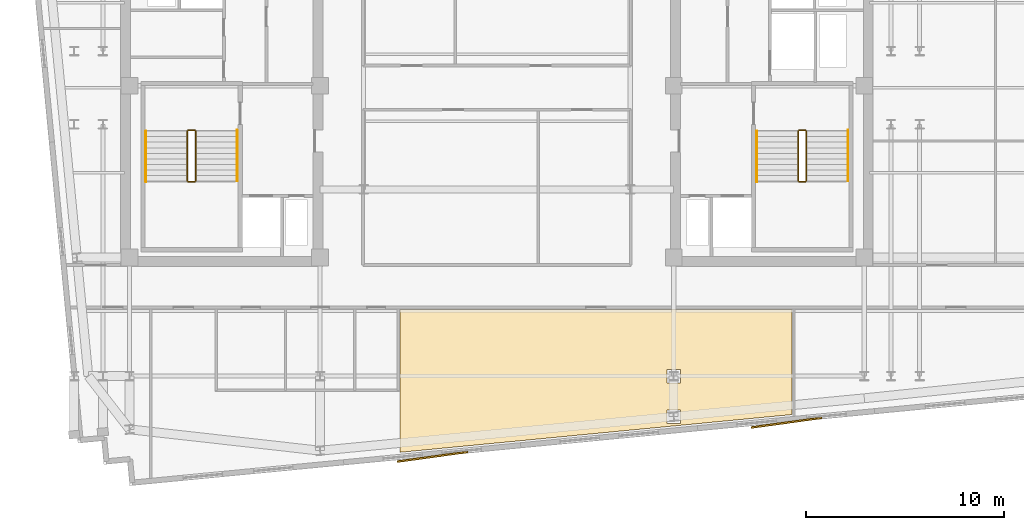
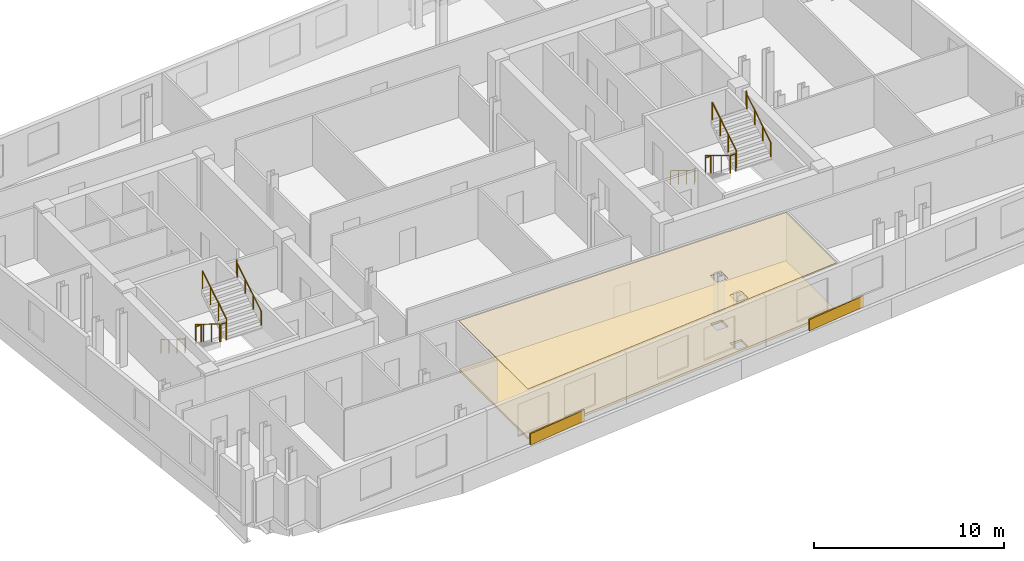
# One storey, part 7 of 8: 12 railings, 4 coverings.
"""IFC4 building model written with IfcOpenShell, lengths in metres."""

from ifc_helpers import new_model, si_unit, direction, frame, origin, origin_2d, place, context, subcontext, project, spatial, polyline, rectangle, circle, outline, extrude, material, layer, layer_set, type_object, element, save


model = new_model("IFC4")

# Units and contexts
model_context = context("Model", 3, precision=1e-05, world=origin(), true_north=direction((0.0, 1.0)))
body_context = subcontext(model_context, "Body", "Model", "MODEL_VIEW")
ifc_project = project(units=[si_unit("LENGTHUNIT", "METRE"), si_unit("AREAUNIT", "SQUARE_METRE"), si_unit("VOLUMEUNIT", "CUBIC_METRE"), si_unit("PLANEANGLEUNIT", "RADIAN"), si_unit("MASSUNIT", "GRAM", prefix="KILO")], contexts=[model_context])

# Site, building, storey
site_placement = place(None, origin())
site = spatial("IfcSite", under=ifc_project, at=site_placement, CompositionType="ELEMENT")
building_placement = place(site_placement, origin())
building = spatial("IfcBuilding", under=site, at=building_placement, Name="Velakula Bourse", CompositionType="ELEMENT")
storey_placement = place(building_placement, frame((0.0, 0.0, 251.699951171875)))
storey = spatial("IfcBuildingStorey", under=building, at=storey_placement, Name="L68", CompositionType="ELEMENT", Elevation=251.699951171875)

# Coverings
ifc_material_1 = material(Name="Buff kilned clay facing brick masonry", Category="masonry")
ifc_layer_1 = layer(ifc_material_1, 0.074951171875, Name="Buff kilned clay facing brick masonry", Category="masonry")
ifc_layer_set_1 = layer_set([ifc_layer_1], Name="Buff kilned clay facing brick masonry")
covering_type_1 = type_object("IfcCoveringType", Name="COV-BRK-SPN-75", PredefinedType="CLADDING", material=ifc_layer_set_1)
for number, where, z_axis, x_axis, name in (
    (1, (-3.26220703125, -18.68115234375, 0.0), (0.0, 0.0, 1.0), (0.990629029058, 0.136580111242, 0.0), "L68 Folded Brick Facade Cladding Panel S-B2"),
    (2, (14.655029296875, -16.955810546875, 0.0), (0.0, 0.0, 1.0), (0.990629029058, 0.136580111242, 0.0), "L68 Folded Brick Facade Cladding Panel S-B4"),
):
    element("IfcCovering", number, at=place(storey_placement, frame(where, z_axis=z_axis, x_axis=x_axis)), inside=storey, type_object=covering_type_1, Name=name, PredefinedType="CLADDING", context=body_context, shape_type="SweptSolid", body=[
        extrude(rectangle(XDim=3.60009765625, YDim=0.090087890625, at=origin_2d()), origin(), (0.0, 0.0, 1.0), 0.719970703125),
    ])
ifc_material_2 = material(Name="Mineral-fibre acoustic suspended ceiling tile", Category="mineral")
ifc_layer_2 = layer(ifc_material_2, 0.0400390625, Name="Mineral-fibre acoustic suspended ceiling tile", Category="mineral")
ifc_layer_set_2 = layer_set([ifc_layer_2], Name="Mineral-fibre acoustic suspended ceiling tile")
covering_type_2 = type_object("IfcCoveringType", Name="COV-CEIL-AC-40", PredefinedType="CEILING", material=ifc_layer_set_2)
covering_1_placement = place(storey_placement, frame((0.0, 0.0, 3.199951171875)))
element("IfcCovering", 3, at=covering_1_placement, inside=storey, type_object=covering_type_2, Name="L68 Risk Review Boardroom Acoustic Suspended Ceiling", PredefinedType="CEILING", context=body_context, shape_type="SweptSolid", body=[
    extrude(outline(polyline([(14.94091796875, -11.22998046875), (14.94091796875, -16.546630859375), (-4.89990234375, -18.45703125), (-4.89990234375, -11.22998046875), (14.94091796875, -11.22998046875)]), holes=[polyline([(9.294921875, -16.996337890625), (9.294921875, -16.306396484375), (8.60498046875, -16.306396484375), (8.60498046875, -16.996337890625), (9.294921875, -16.996337890625)]), polyline([(8.60498046875, -14.945068359375), (9.294921875, -14.945068359375), (9.294921875, -14.2548828125), (8.60498046875, -14.2548828125), (8.60498046875, -14.945068359375)])]), origin(), (0.0, 0.0, 1.0), 0.0400390625),
])
ifc_material_3 = material(Name="Calcium-sulphate antistatic raised access flooring", Category="gypsum")
ifc_layer_3 = layer(ifc_material_3, 0.14990234375, Name="Calcium-sulphate antistatic raised access flooring", Category="gypsum")
ifc_layer_set_3 = layer_set([ifc_layer_3], Name="Calcium-sulphate antistatic raised access flooring")
covering_type_3 = type_object("IfcCoveringType", Name="COV-FLR-RAISED-150", PredefinedType="FLOORING", material=ifc_layer_set_3)
covering_2_placement = place(storey_placement, origin())
element("IfcCovering", 4, at=covering_2_placement, inside=storey, type_object=covering_type_3, Name="L68 Risk Review Boardroom Raised Trading Access Floor", PredefinedType="FLOORING", context=body_context, shape_type="SweptSolid", body=[
    extrude(outline(polyline([(14.94091796875, -11.22998046875), (14.94091796875, -16.546630859375), (-4.89990234375, -18.45703125), (-4.89990234375, -11.22998046875), (14.94091796875, -11.22998046875)]), holes=[polyline([(9.294921875, -16.996337890625), (9.294921875, -16.306396484375), (8.60498046875, -16.306396484375), (8.60498046875, -16.996337890625), (9.294921875, -16.996337890625)]), polyline([(8.60498046875, -14.945068359375), (9.294921875, -14.945068359375), (9.294921875, -14.2548828125), (8.60498046875, -14.2548828125), (8.60498046875, -14.945068359375)])]), origin(), (0.0, 0.0, 1.0), 0.150146484375),
])

# Railings
ifc_material_4 = material(Name="Brushed grade 316 stainless steel", Category="steel")
railing_type_1 = type_object("IfcRailingType", Name="RLG-STAIR-GUARD-1150", PredefinedType="BALUSTRADE", material=ifc_material_4)
railing_1_placement = place(storey_placement, frame((-15.672119140625, -2.199951171875, 0.172607421875)))
element("IfcRailing", 5, at=railing_1_placement, inside=storey, type_object=railing_type_1, Name="L68 ST-W1 stair guard 1", PredefinedType="BALUSTRADE", context=body_context, shape_type="SweptSolid", body=[
    extrude(circle(Radius=0.02490234375, at=origin_2d()), frame((0.0, 0.0, 1.125), z_axis=(0.0, -0.851400495292, 0.524516154772), x_axis=(1.0, 0.0, 0.0)), (0.0, 0.0, 1.0), 2.9599609375),
    extrude(circle(Radius=0.02099609375, at=origin_2d()), origin(), (0.0, 0.0, 1.0), 1.099853515625),
    extrude(circle(Radius=0.02099609375, at=origin_2d()), frame((0.0, -0.840087890625, 0.517578125)), (0.0, 0.0, 1.0), 1.099853515625),
    extrude(circle(Radius=0.02099609375, at=origin_2d()), frame((0.0, -1.679931640625, 1.034912109375)), (0.0, 0.0, 1.0), 1.099853515625),
    extrude(circle(Radius=0.02099609375, at=origin_2d()), frame((0.0, -2.52001953125, 1.552490234375)), (0.0, 0.0, 1.0), 1.099853515625),
])
railing_2_placement = place(storey_placement, frame((-15.6220703125, -4.77001953125, 1.72509765625)))
element("IfcRailing", 6, at=railing_2_placement, inside=storey, type_object=railing_type_1, Name="L68 ST-W1 stair guard 2", PredefinedType="BALUSTRADE", context=body_context, shape_type="SweptSolid", body=[
    extrude(circle(Radius=0.02490234375, at=origin_2d()), frame((0.0, 0.0, 1.125), z_axis=(1.0, 0.0, 0.0), x_axis=(0.0, 1.0, 0.0)), (0.0, 0.0, 1.0), 0.323974609375),
    extrude(circle(Radius=0.02099609375, at=origin_2d()), origin(), (0.0, 0.0, 1.0), 1.099853515625),
    extrude(circle(Radius=0.02099609375, at=origin_2d()), frame((0.323974609375, 0.0, 0.0)), (0.0, 0.0, 1.0), 1.099853515625),
])
railing_3_placement = place(storey_placement, frame((-15.248046875, -4.719970703125, 1.8974609375)))
element("IfcRailing", 7, at=railing_3_placement, inside=storey, type_object=railing_type_1, Name="L68 ST-W1 stair guard 3", PredefinedType="BALUSTRADE", context=body_context, shape_type="SweptSolid", body=[
    extrude(circle(Radius=0.02490234375, at=origin_2d()), frame((0.0, 0.0, 1.125), z_axis=(0.0, 0.851400495292, 0.524516154772), x_axis=(-1.0, 0.0, 0.0)), (0.0, 0.0, 1.0), 2.9599609375),
    extrude(circle(Radius=0.02099609375, at=origin_2d()), origin(), (0.0, 0.0, 1.0), 1.099853515625),
    extrude(circle(Radius=0.02099609375, at=origin_2d()), frame((0.0, 0.840087890625, 0.517578125)), (0.0, 0.0, 1.0), 1.099853515625),
    extrude(circle(Radius=0.02099609375, at=origin_2d()), frame((0.0, 1.679931640625, 1.034912109375)), (0.0, 0.0, 1.0), 1.099853515625),
    extrude(circle(Radius=0.02099609375, at=origin_2d()), frame((0.0, 2.52001953125, 1.552490234375)), (0.0, 0.0, 1.0), 1.099853515625),
])
railing_4_placement = place(storey_placement, frame((-15.6220703125, -2.14990234375, 0.0)))
element("IfcRailing", 8, at=railing_4_placement, inside=storey, type_object=railing_type_1, Name="L68 ST-W1 stair guard 4", PredefinedType="BALUSTRADE", context=body_context, shape_type="SweptSolid", body=[
    extrude(circle(Radius=0.02490234375, at=origin_2d()), frame((0.0, 0.0, 1.125), z_axis=(1.0, 0.0, 0.0), x_axis=(0.0, 1.0, 0.0)), (0.0, 0.0, 1.0), 0.323974609375),
    extrude(circle(Radius=0.02099609375, at=origin_2d()), origin(), (0.0, 0.0, 1.0), 1.099853515625),
    extrude(circle(Radius=0.02099609375, at=origin_2d()), frame((0.323974609375, 0.0, 0.0)), (0.0, 0.0, 1.0), 1.099853515625),
])
railing_5_placement = place(storey_placement, frame((15.248046875, -2.199951171875, 0.172607421875)))
element("IfcRailing", 9, at=railing_5_placement, inside=storey, type_object=railing_type_1, Name="L68 ST-E1 stair guard 1", PredefinedType="BALUSTRADE", context=body_context, shape_type="SweptSolid", body=[
    extrude(circle(Radius=0.02490234375, at=origin_2d()), frame((0.0, 0.0, 1.125), z_axis=(0.0, -0.851400495292, 0.524516154772), x_axis=(1.0, 0.0, 0.0)), (0.0, 0.0, 1.0), 2.9599609375),
    extrude(circle(Radius=0.02099609375, at=origin_2d()), origin(), (0.0, 0.0, 1.0), 1.099853515625),
    extrude(circle(Radius=0.02099609375, at=origin_2d()), frame((0.0, -0.840087890625, 0.517578125)), (0.0, 0.0, 1.0), 1.099853515625),
    extrude(circle(Radius=0.02099609375, at=origin_2d()), frame((0.0, -1.679931640625, 1.034912109375)), (0.0, 0.0, 1.0), 1.099853515625),
    extrude(circle(Radius=0.02099609375, at=origin_2d()), frame((0.0, -2.52001953125, 1.552490234375)), (0.0, 0.0, 1.0), 1.099853515625),
])
railing_6_placement = place(storey_placement, frame((15.298095703125, -4.77001953125, 1.72509765625)))
element("IfcRailing", 10, at=railing_6_placement, inside=storey, type_object=railing_type_1, Name="L68 ST-E1 stair guard 2", PredefinedType="BALUSTRADE", context=body_context, shape_type="SweptSolid", body=[
    extrude(circle(Radius=0.02490234375, at=origin_2d()), frame((0.0, 0.0, 1.125), z_axis=(1.0, 0.0, 0.0), x_axis=(0.0, 1.0, 0.0)), (0.0, 0.0, 1.0), 0.323974609375),
    extrude(circle(Radius=0.02099609375, at=origin_2d()), origin(), (0.0, 0.0, 1.0), 1.099853515625),
    extrude(circle(Radius=0.02099609375, at=origin_2d()), frame((0.323974609375, 0.0, 0.0)), (0.0, 0.0, 1.0), 1.099853515625),
])
railing_7_placement = place(storey_placement, frame((15.672119140625, -4.719970703125, 1.8974609375)))
element("IfcRailing", 11, at=railing_7_placement, inside=storey, type_object=railing_type_1, Name="L68 ST-E1 stair guard 3", PredefinedType="BALUSTRADE", context=body_context, shape_type="SweptSolid", body=[
    extrude(circle(Radius=0.02490234375, at=origin_2d()), frame((0.0, 0.0, 1.125), z_axis=(0.0, 0.851400495292, 0.524516154772), x_axis=(-1.0, 0.0, 0.0)), (0.0, 0.0, 1.0), 2.9599609375),
    extrude(circle(Radius=0.02099609375, at=origin_2d()), origin(), (0.0, 0.0, 1.0), 1.099853515625),
    extrude(circle(Radius=0.02099609375, at=origin_2d()), frame((0.0, 0.840087890625, 0.517578125)), (0.0, 0.0, 1.0), 1.099853515625),
    extrude(circle(Radius=0.02099609375, at=origin_2d()), frame((0.0, 1.679931640625, 1.034912109375)), (0.0, 0.0, 1.0), 1.099853515625),
    extrude(circle(Radius=0.02099609375, at=origin_2d()), frame((0.0, 2.52001953125, 1.552490234375)), (0.0, 0.0, 1.0), 1.099853515625),
])
railing_8_placement = place(storey_placement, frame((15.298095703125, -2.14990234375, 0.0)))
element("IfcRailing", 12, at=railing_8_placement, inside=storey, type_object=railing_type_1, Name="L68 ST-E1 stair guard 4", PredefinedType="BALUSTRADE", context=body_context, shape_type="SweptSolid", body=[
    extrude(circle(Radius=0.02490234375, at=origin_2d()), frame((0.0, 0.0, 1.125), z_axis=(1.0, 0.0, 0.0), x_axis=(0.0, 1.0, 0.0)), (0.0, 0.0, 1.0), 0.323974609375),
    extrude(circle(Radius=0.02099609375, at=origin_2d()), origin(), (0.0, 0.0, 1.0), 1.099853515625),
    extrude(circle(Radius=0.02099609375, at=origin_2d()), frame((0.323974609375, 0.0, 0.0)), (0.0, 0.0, 1.0), 1.099853515625),
])
railing_type_2 = type_object("IfcRailingType", Name="RLG-STAIR-HAND-920", PredefinedType="HANDRAIL", material=ifc_material_4)
railing_9_placement = place(storey_placement, frame((-17.77001953125, -2.199951171875, 0.172607421875)))
element("IfcRailing", 13, at=railing_9_placement, inside=storey, type_object=railing_type_2, Name="L68 ST-W1 stair handrail 1", PredefinedType="HANDRAIL", context=body_context, shape_type="SweptSolid", body=[
    extrude(circle(Radius=0.02099609375, at=origin_2d()), frame((0.0, 0.0, 0.89892578125), z_axis=(0.0, -0.851400495292, 0.524516154772), x_axis=(1.0, 0.0, 0.0)), (0.0, 0.0, 1.0), 2.9599609375),
    extrude(circle(Radius=0.02099609375, at=origin_2d()), frame((0.0, -2.52001953125, 2.451416015625), z_axis=(0.0, -0.226269970362, 0.974064628509), x_axis=(1.0, 0.0, 0.0)), (0.0, 0.0, 1.0), 0.177001953125),
    extrude(circle(Radius=0.02099609375, at=origin_2d()), frame((0.0, -2.56005859375, 2.623779296875), z_axis=(0.0, -1.0, 0.0), x_axis=(1.0, 0.0, 0.0)), (0.0, 0.0, 1.0), 0.0048828125),
    extrude(circle(Radius=0.02099609375, at=origin_2d()), origin(), (0.0, 0.0, 1.0), 0.8779296875),
    extrude(circle(Radius=0.02099609375, at=origin_2d()), frame((0.0, -0.840087890625, 0.517578125)), (0.0, 0.0, 1.0), 0.8779296875),
    extrude(circle(Radius=0.02099609375, at=origin_2d()), frame((0.0, -1.679931640625, 1.034912109375)), (0.0, 0.0, 1.0), 0.8779296875),
    extrude(circle(Radius=0.02099609375, at=origin_2d()), frame((0.0, -2.52001953125, 1.552490234375)), (0.0, 0.0, 1.0), 0.8779296875),
    extrude(circle(Radius=0.02099609375, at=origin_2d()), frame((0.0, -2.56005859375, 1.724853515625)), (0.0, 0.0, 1.0), 0.8779296875),
    extrude(circle(Radius=0.02099609375, at=origin_2d()), frame((0.0, -2.56494140625, 1.724853515625)), (0.0, 0.0, 1.0), 0.8779296875),
])
railing_10_placement = place(storey_placement, frame((-13.14990234375, -4.719970703125, 1.8974609375)))
element("IfcRailing", 14, at=railing_10_placement, inside=storey, type_object=railing_type_2, Name="L68 ST-W1 stair handrail 2", PredefinedType="HANDRAIL", context=body_context, shape_type="SweptSolid", body=[
    extrude(circle(Radius=0.02099609375, at=origin_2d()), frame((0.0, 0.0, 0.89892578125), z_axis=(0.0, 0.851400495292, 0.524516154772), x_axis=(-1.0, 0.0, 0.0)), (0.0, 0.0, 1.0), 2.9599609375),
    extrude(circle(Radius=0.02099609375, at=origin_2d()), frame((0.0, 2.52001953125, 2.451416015625), z_axis=(0.0, 0.22596628056, 0.974135124123), x_axis=(-1.0, 0.0, 0.0)), (0.0, 0.0, 1.0), 0.17724609375),
    extrude(circle(Radius=0.02099609375, at=origin_2d()), frame((0.0, 2.56005859375, 2.6240234375), z_axis=(0.0, 1.0, 0.0), x_axis=(-1.0, 0.0, 0.0)), (0.0, 0.0, 1.0), 0.0048828125),
    extrude(circle(Radius=0.02099609375, at=origin_2d()), origin(), (0.0, 0.0, 1.0), 0.8779296875),
    extrude(circle(Radius=0.02099609375, at=origin_2d()), frame((0.0, 0.840087890625, 0.517578125)), (0.0, 0.0, 1.0), 0.8779296875),
    extrude(circle(Radius=0.02099609375, at=origin_2d()), frame((0.0, 1.679931640625, 1.034912109375)), (0.0, 0.0, 1.0), 0.8779296875),
    extrude(circle(Radius=0.02099609375, at=origin_2d()), frame((0.0, 2.52001953125, 1.552490234375)), (0.0, 0.0, 1.0), 0.8779296875),
    extrude(circle(Radius=0.02099609375, at=origin_2d()), frame((0.0, 2.56005859375, 1.72509765625)), (0.0, 0.0, 1.0), 0.8779296875),
    extrude(circle(Radius=0.02099609375, at=origin_2d()), frame((0.0, 2.56494140625, 1.72509765625)), (0.0, 0.0, 1.0), 0.8779296875),
])
railing_11_placement = place(storey_placement, frame((13.14990234375, -2.199951171875, 0.172607421875)))
element("IfcRailing", 15, at=railing_11_placement, inside=storey, type_object=railing_type_2, Name="L68 ST-E1 stair handrail 1", PredefinedType="HANDRAIL", context=body_context, shape_type="SweptSolid", body=[
    extrude(circle(Radius=0.02099609375, at=origin_2d()), frame((0.0, 0.0, 0.89892578125), z_axis=(0.0, -0.851400495292, 0.524516154772), x_axis=(1.0, 0.0, 0.0)), (0.0, 0.0, 1.0), 2.9599609375),
    extrude(circle(Radius=0.02099609375, at=origin_2d()), frame((0.0, -2.52001953125, 2.451416015625), z_axis=(0.0, -0.226269970362, 0.974064628509), x_axis=(1.0, 0.0, 0.0)), (0.0, 0.0, 1.0), 0.177001953125),
    extrude(circle(Radius=0.02099609375, at=origin_2d()), frame((0.0, -2.56005859375, 2.623779296875), z_axis=(0.0, -1.0, 0.0), x_axis=(1.0, 0.0, 0.0)), (0.0, 0.0, 1.0), 0.0048828125),
    extrude(circle(Radius=0.02099609375, at=origin_2d()), origin(), (0.0, 0.0, 1.0), 0.8779296875),
    extrude(circle(Radius=0.02099609375, at=origin_2d()), frame((0.0, -0.840087890625, 0.517578125)), (0.0, 0.0, 1.0), 0.8779296875),
    extrude(circle(Radius=0.02099609375, at=origin_2d()), frame((0.0, -1.679931640625, 1.034912109375)), (0.0, 0.0, 1.0), 0.8779296875),
    extrude(circle(Radius=0.02099609375, at=origin_2d()), frame((0.0, -2.52001953125, 1.552490234375)), (0.0, 0.0, 1.0), 0.8779296875),
    extrude(circle(Radius=0.02099609375, at=origin_2d()), frame((0.0, -2.56005859375, 1.724853515625)), (0.0, 0.0, 1.0), 0.8779296875),
    extrude(circle(Radius=0.02099609375, at=origin_2d()), frame((0.0, -2.56494140625, 1.724853515625)), (0.0, 0.0, 1.0), 0.8779296875),
])
railing_12_placement = place(storey_placement, frame((17.77001953125, -4.719970703125, 1.8974609375)))
element("IfcRailing", 16, at=railing_12_placement, inside=storey, type_object=railing_type_2, Name="L68 ST-E1 stair handrail 2", PredefinedType="HANDRAIL", context=body_context, shape_type="SweptSolid", body=[
    extrude(circle(Radius=0.02099609375, at=origin_2d()), frame((0.0, 0.0, 0.89892578125), z_axis=(0.0, 0.851400495292, 0.524516154772), x_axis=(-1.0, 0.0, 0.0)), (0.0, 0.0, 1.0), 2.9599609375),
    extrude(circle(Radius=0.02099609375, at=origin_2d()), frame((0.0, 2.52001953125, 2.451416015625), z_axis=(0.0, 0.22596628056, 0.974135124123), x_axis=(-1.0, 0.0, 0.0)), (0.0, 0.0, 1.0), 0.17724609375),
    extrude(circle(Radius=0.02099609375, at=origin_2d()), frame((0.0, 2.56005859375, 2.6240234375), z_axis=(0.0, 1.0, 0.0), x_axis=(-1.0, 0.0, 0.0)), (0.0, 0.0, 1.0), 0.0048828125),
    extrude(circle(Radius=0.02099609375, at=origin_2d()), origin(), (0.0, 0.0, 1.0), 0.8779296875),
    extrude(circle(Radius=0.02099609375, at=origin_2d()), frame((0.0, 0.840087890625, 0.517578125)), (0.0, 0.0, 1.0), 0.8779296875),
    extrude(circle(Radius=0.02099609375, at=origin_2d()), frame((0.0, 1.679931640625, 1.034912109375)), (0.0, 0.0, 1.0), 0.8779296875),
    extrude(circle(Radius=0.02099609375, at=origin_2d()), frame((0.0, 2.52001953125, 1.552490234375)), (0.0, 0.0, 1.0), 0.8779296875),
    extrude(circle(Radius=0.02099609375, at=origin_2d()), frame((0.0, 2.56005859375, 1.72509765625)), (0.0, 0.0, 1.0), 0.8779296875),
    extrude(circle(Radius=0.02099609375, at=origin_2d()), frame((0.0, 2.56494140625, 1.72509765625)), (0.0, 0.0, 1.0), 0.8779296875),
])

save(model, "model.ifc")
